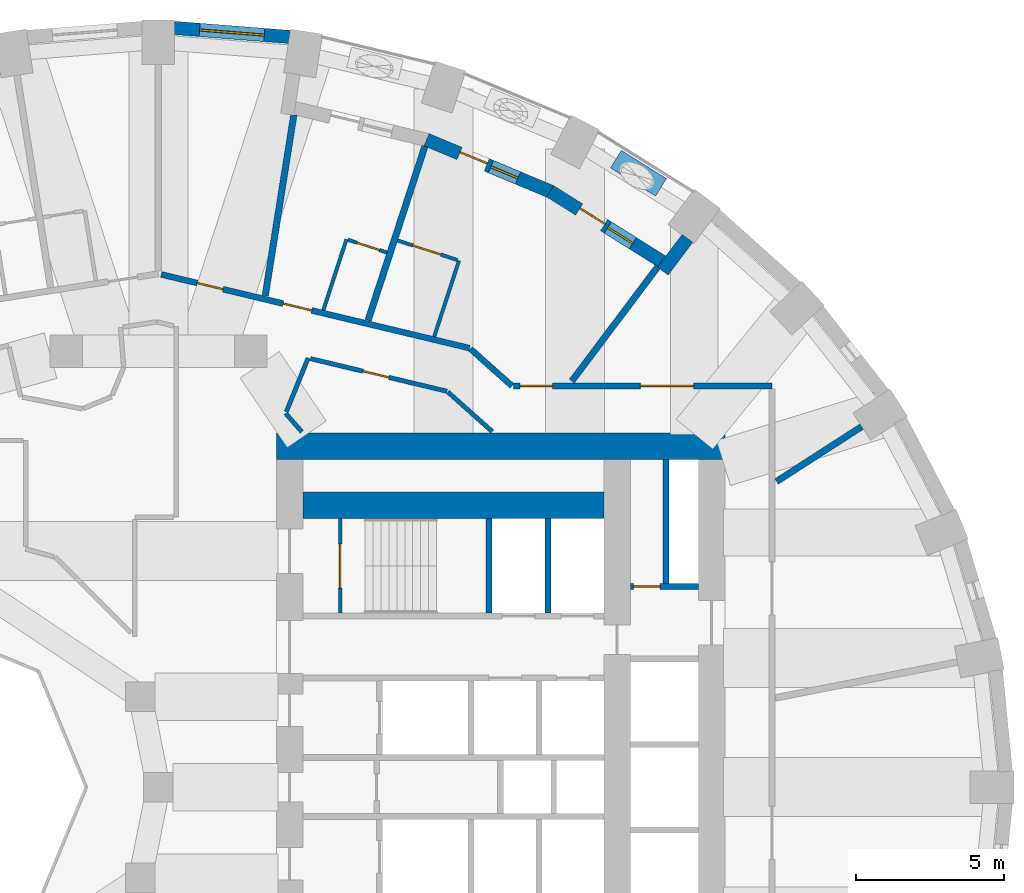
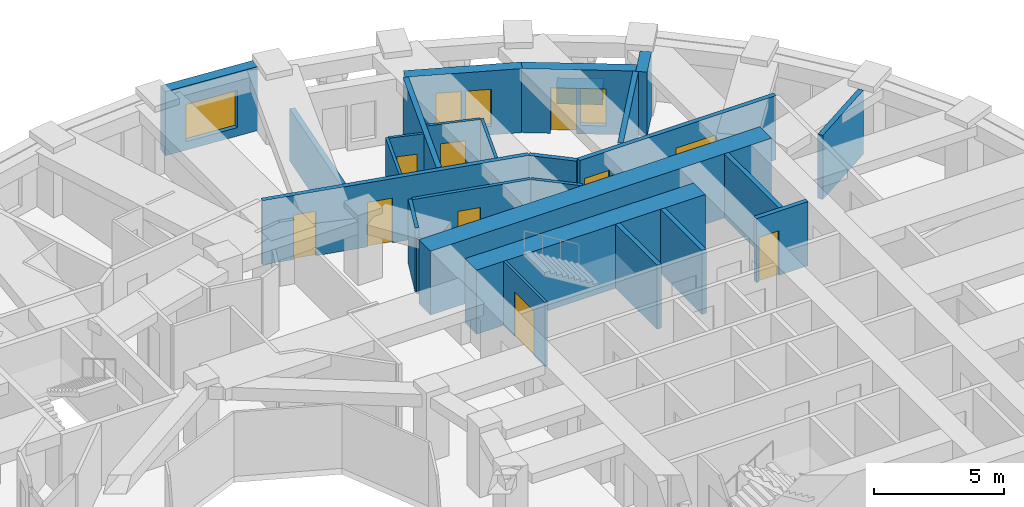
# One storey, part 9 of 14: 27 walls, 11 doors, 3 windows, 14 openings.
"""IFC4 building model written with IfcOpenShell, lengths in metres."""

from ifc_helpers import new_model, si_unit, direction, frame, frame_2d, origin, place, context, subcontext, project, spatial, rectangle, extrude, material, layer, layer_set, constituent, constituent_set, type_object, element, fill, save


model = new_model("IFC4")

# Units and contexts
model_context = context("Model", 3, precision=1e-05, world=origin(), true_north=direction((0.0, 1.0)))
body_context = subcontext(model_context, "Body", "Model", "MODEL_VIEW")
ifc_project = project(units=[si_unit("LENGTHUNIT", "METRE"), si_unit("AREAUNIT", "SQUARE_METRE"), si_unit("VOLUMEUNIT", "CUBIC_METRE"), si_unit("PLANEANGLEUNIT", "RADIAN"), si_unit("MASSUNIT", "GRAM", prefix="KILO")], contexts=[model_context])

# Site, building, storey
site_placement = place(None, origin())
site = spatial("IfcSite", under=ifc_project, at=site_placement, CompositionType="ELEMENT")
building_placement = place(site_placement, origin())
building = spatial("IfcBuilding", under=site, at=building_placement, Name="Taillehof Tower", CompositionType="ELEMENT")
storey_placement = place(building_placement, frame((0.0, 0.0, 25.0)))
storey = spatial("IfcBuildingStorey", under=building, at=storey_placement, Name="L05", CompositionType="ELEMENT", Elevation=25.0)

# Wall, opening, window
ifc_material_1 = material(Name="Brick masonry", Category="masonry")
ifc_layer_1 = layer(ifc_material_1, 0.449951171875)
ifc_layer_set_1 = layer_set([ifc_layer_1], Name="Brick infill wall 450")
wall_type_1 = type_object("IfcWallType", Name="Brick infill wall 450", PredefinedType="SOLIDWALL", material=ifc_layer_set_1)
wall_1_placement = place(storey_placement, frame((4.457275390625, 25.42578125, 0.0), z_axis=(0.0, 0.0, 1.0), x_axis=(-0.996955972145, 0.077966592873, 0.0)))
wall_1 = element("IfcWall", 1, at=wall_1_placement, inside=storey, type_object=wall_type_1, Name="Brick wall L05 bay 9", PredefinedType="SOLIDWALL", context=body_context, shape_type="SweptSolid", body=[
    extrude(rectangle(XDim=3.939208984375, YDim=0.449951171875, at=frame_2d((1.9697265625, 0.0))), origin(), (0.0, 0.0, 1.0), 3.02001953125),
])
opening_1_placement = place(wall_1_placement, frame((0.86962890625, 0.0, 0.39990234375)))
opening_1 = element("IfcOpeningElement", 2, at=opening_1_placement, cuts=wall_1, Name="Opening W1", PredefinedType="OPENING", context=body_context, shape_type="SweptSolid", body=[
    extrude(rectangle(XDim=2.199951171875, YDim=1.75, at=frame_2d((1.10009765625, 0.875))), frame((0.0, 0.23486328125, 0.0), z_axis=(0.0, -1.0, 0.0), x_axis=(1.0, 0.0, 0.0)), (0.0, 0.0, 1.0), 0.469970703125),
])
ifc_material_2 = material(Name="Aluminium window frame with clear double glazing", Category="aluminium")
window_type_1 = type_object("IfcWindowType", Name="Deep-set window 2200x1750", PartitioningType="SINGLE_PANEL", PredefinedType="WINDOW", material=ifc_material_2)
window_1_placement = place(opening_1_placement, origin())
window_1 = element("IfcWindow", 3, at=window_1_placement, inside=storey, type_object=window_type_1, Name="W1", OverallHeight=1.75, OverallWidth=2.199951171875, PartitioningType="SINGLE_PANEL", PredefinedType="WINDOW", context=body_context, shape_type="SweptSolid", body=[
    extrude(rectangle(XDim=2.199951171875, YDim=1.75, at=frame_2d((1.10009765625, 0.875))), frame((0.0, 0.034912109375, 0.0), z_axis=(0.0, -1.0, 0.0), x_axis=(1.0, 0.0, 0.0)), (0.0, 0.0, 1.0), 0.06005859375),
])
fill(opening_1, window_1)

# Wall
wall_2_placement = place(storey_placement, frame((17.931640625, 18.60009765625, 0.0), z_axis=(0.0, 0.0, 1.0), x_axis=(-0.601262851241, -0.799051302306, 0.0)))
element("IfcWall", 4, at=wall_2_placement, inside=storey, type_object=wall_type_1, Name="Brick reveal L05 pocket 1", PredefinedType="SOLIDWALL", context=body_context, shape_type="SweptSolid", body=[
    extrude(rectangle(XDim=1.39111328125, YDim=0.449951171875, at=frame_2d((0.695556640625, 0.0))), origin(), (0.0, 0.0, 1.0), 3.02001953125),
])

# Wall, openings, door, window
wall_3_placement = place(storey_placement, frame((17.062255859375, 17.81884765625, 0.0), z_axis=(0.0, 0.0, 1.0), x_axis=(-0.846990101364, 0.531608660757, 0.0)))
wall_3 = element("IfcWall", 5, at=wall_3_placement, inside=storey, type_object=wall_type_1, Name="Brick wall L05 pocket bay 6", PredefinedType="SOLIDWALL", context=body_context, shape_type="SweptSolid", body=[
    extrude(rectangle(XDim=4.468994140625, YDim=0.449951171875, at=frame_2d((2.234375, 0.0))), origin(), (0.0, 0.0, 1.0), 3.02001953125),
])
opening_2_placement = place(wall_3_placement, frame((1.159423828125, 0.0, 0.39990234375)))
opening_2 = element("IfcOpeningElement", 6, at=opening_2_placement, cuts=wall_3, Name="Opening W5", PredefinedType="OPENING", context=body_context, shape_type="SweptSolid", body=[
    extrude(rectangle(XDim=1.0, YDim=1.75, at=frame_2d((0.5, 0.875))), frame((0.0, 0.23486328125, 0.0), z_axis=(0.0, -1.0, 0.0), x_axis=(1.0, 0.0, 0.0)), (0.0, 0.0, 1.0), 0.469970703125),
])
opening_3_placement = place(wall_3_placement, frame((2.3095703125, 0.0, 0.0)))
opening_3 = element("IfcOpeningElement", 7, at=opening_3_placement, cuts=wall_3, Name="Opening D0591", PredefinedType="OPENING", context=body_context, shape_type="SweptSolid", body=[
    extrude(rectangle(XDim=1.0, YDim=2.14990234375, at=frame_2d((0.5, 1.074951171875))), frame((0.0, 0.23486328125, 0.0), z_axis=(0.0, -1.0, 0.0), x_axis=(1.0, 0.0, 0.0)), (0.0, 0.0, 1.0), 0.469970703125),
])
ifc_material_3 = material(Name="Aluminium door frame with clear double glazing", Category="aluminium")
door_type_1 = type_object("IfcDoorType", Name="Balcony door 1000x2150", OperationType="SINGLE_SWING_RIGHT", PredefinedType="DOOR", material=ifc_material_3)
door_1_placement = place(opening_3_placement, frame((1.0, 0.0, 0.0), z_axis=(0.0, 0.0, 1.0), x_axis=(-1.0, 0.0, 0.0)))
door_1 = element("IfcDoor", 8, at=door_1_placement, inside=storey, type_object=door_type_1, Name="Balcony door L05 bay 6", OperationType="SINGLE_SWING_RIGHT", OverallHeight=2.14990234375, OverallWidth=1.0, PredefinedType="DOOR", context=body_context, shape_type="SweptSolid", body=[
    extrude(rectangle(XDim=1.0, YDim=2.14990234375, at=frame_2d((0.5, 1.074951171875))), frame((0.0, 0.0751953125, 0.0), z_axis=(0.0, -1.0, 0.0), x_axis=(1.0, 0.0, 0.0)), (0.0, 0.0, 1.0), 0.050048828125),
])
fill(opening_3, door_1)
ifc_material_4 = material(Name="Aluminium window frame with clear double glazing", Category="aluminium")
window_type_2 = type_object("IfcWindowType", Name="Fixed window 1000x1750", PartitioningType="SINGLE_PANEL", PredefinedType="WINDOW", material=ifc_material_4)
window_2_placement = place(opening_2_placement, origin())
window_2 = element("IfcWindow", 9, at=window_2_placement, inside=storey, type_object=window_type_2, Name="W5", OverallHeight=1.75, OverallWidth=1.0, PartitioningType="SINGLE_PANEL", PredefinedType="WINDOW", context=body_context, shape_type="SweptSolid", body=[
    extrude(rectangle(XDim=1.0, YDim=1.75, at=frame_2d((0.5, 0.875))), frame((0.0, 0.034912109375, 0.0), z_axis=(0.0, -1.0, 0.0), x_axis=(1.0, 0.0, 0.0)), (0.0, 0.0, 1.0), 0.06005859375),
])
fill(opening_2, window_2)

wall_4_placement = place(storey_placement, frame((13.31005859375, 20.177734375, 0.0), z_axis=(0.0, 0.0, 1.0), x_axis=(-0.922634412489, 0.385675693935, 0.0)))
wall_4 = element("IfcWall", 10, at=wall_4_placement, inside=storey, type_object=wall_type_1, Name="Brick wall L05 pocket bay 7", PredefinedType="SOLIDWALL", context=body_context, shape_type="SweptSolid", body=[
    extrude(rectangle(XDim=4.57666015625, YDim=0.449951171875, at=frame_2d((2.288330078125, 0.0))), origin(), (0.0, 0.0, 1.0), 3.02001953125),
])
opening_4_placement = place(wall_4_placement, frame((1.21337890625, 0.0, 0.39990234375)))
opening_4 = element("IfcOpeningElement", 11, at=opening_4_placement, cuts=wall_4, Name="Opening W5", PredefinedType="OPENING", context=body_context, shape_type="SweptSolid", body=[
    extrude(rectangle(XDim=1.0, YDim=1.75, at=frame_2d((0.5, 0.875))), frame((0.0, 0.23486328125, 0.0), z_axis=(0.0, -1.0, 0.0), x_axis=(1.0, 0.0, 0.0)), (0.0, 0.0, 1.0), 0.469970703125),
])
opening_5_placement = place(wall_4_placement, frame((2.36328125, 0.0, 0.0)))
opening_5 = element("IfcOpeningElement", 12, at=opening_5_placement, cuts=wall_4, Name="Opening D0592", PredefinedType="OPENING", context=body_context, shape_type="SweptSolid", body=[
    extrude(rectangle(XDim=1.0, YDim=2.14990234375, at=frame_2d((0.5, 1.074951171875))), frame((0.0, 0.23486328125, 0.0), z_axis=(0.0, -1.0, 0.0), x_axis=(1.0, 0.0, 0.0)), (0.0, 0.0, 1.0), 0.469970703125),
])
door_2_placement = place(opening_5_placement, frame((1.0, 0.0, 0.0), z_axis=(0.0, 0.0, 1.0), x_axis=(-1.0, 0.0, 0.0)))
door_2 = element("IfcDoor", 13, at=door_2_placement, inside=storey, type_object=door_type_1, Name="Balcony door L05 bay 7", OperationType="SINGLE_SWING_LEFT", OverallHeight=2.14990234375, OverallWidth=1.0, PredefinedType="DOOR", context=body_context, shape_type="SweptSolid", body=[
    extrude(rectangle(XDim=1.0, YDim=2.14990234375, at=frame_2d((0.5, 1.074951171875))), frame((0.0, 0.0751953125, 0.0), z_axis=(0.0, -1.0, 0.0), x_axis=(1.0, 0.0, 0.0)), (0.0, 0.0, 1.0), 0.050048828125),
])
fill(opening_5, door_2)
window_3_placement = place(opening_4_placement, origin())
window_3 = element("IfcWindow", 14, at=window_3_placement, inside=storey, type_object=window_type_2, Name="W5", OverallHeight=1.75, OverallWidth=1.0, PartitioningType="SINGLE_PANEL", PredefinedType="WINDOW", context=body_context, shape_type="SweptSolid", body=[
    extrude(rectangle(XDim=1.0, YDim=1.75, at=frame_2d((0.5, 0.875))), frame((0.0, 0.034912109375, 0.0), z_axis=(0.0, -1.0, 0.0), x_axis=(1.0, 0.0, 0.0)), (0.0, 0.0, 1.0), 0.06005859375),
])
fill(opening_4, window_3)

# Wall, opening, door
ifc_material_5 = material(Name="Calcium silicate masonry", Category="masonry")
ifc_layer_2 = layer(ifc_material_5, 0.199951171875)
ifc_layer_set_2 = layer_set([ifc_layer_2], Name="Compartment wall calcium silicate 200")
wall_type_2 = type_object("IfcWallType", Name="Compartment wall calcium silicate 200", PredefinedType="PARTITIONING", material=ifc_layer_set_2)
wall_5_placement = place(storey_placement, frame((16.0, 6.800048828125, 0.0), z_axis=(0.0, 0.0, 1.0), x_axis=(1.0, 0.0, 0.0)))
wall_5 = element("IfcWall", 15, at=wall_5_placement, inside=storey, type_object=wall_type_2, Name="Compartment wall FW", PredefinedType="PARTITIONING", context=body_context, shape_type="SweptSolid", body=[
    extrude(rectangle(XDim=2.300048828125, YDim=0.199951171875, at=frame_2d((1.14990234375, 0.0))), origin(), (0.0, 0.0, 1.0), 3.02001953125),
])
opening_6_placement = place(wall_5_placement, frame((0.10009765625, 0.0, 0.0)))
opening_6 = element("IfcOpeningElement", 16, at=opening_6_placement, cuts=wall_5, Name="Opening D0516", PredefinedType="OPENING", context=body_context, shape_type="SweptSolid", body=[
    extrude(rectangle(XDim=0.89990234375, YDim=2.10009765625, at=frame_2d((0.449951171875, 1.050048828125))), frame((0.0, 0.10986328125, 0.0), z_axis=(0.0, -1.0, 0.0), x_axis=(1.0, 0.0, 0.0)), (0.0, 0.0, 1.0), 0.219970703125),
])
ifc_material_6 = material(Name="Steel-faced fire door", Category="steel")
door_type_2 = type_object("IfcDoorType", Name="Riser and service room door 900x2100", OperationType="SINGLE_SWING_LEFT", PredefinedType="DOOR", material=ifc_material_6)
door_3_placement = place(opening_6_placement, origin())
door_3 = element("IfcDoor", 17, at=door_3_placement, inside=storey, type_object=door_type_2, Name="Door Linen Store", OperationType="SINGLE_SWING_RIGHT", OverallHeight=2.10009765625, OverallWidth=0.89990234375, PredefinedType="DOOR", context=body_context, shape_type="SweptSolid", body=[
    extrude(rectangle(XDim=0.89990234375, YDim=2.10009765625, at=frame_2d((0.449951171875, 1.050048828125))), frame((0.0, 0.02490234375, 0.0), z_axis=(0.0, -1.0, 0.0), x_axis=(1.0, 0.0, 0.0)), (0.0, 0.0, 1.0), 0.050048828125),
])
fill(opening_6, door_3)

# Wall
wall_6_placement = place(storey_placement, frame((17.199951171875, 6.89990234375, 0.0), z_axis=(0.0, 0.0, 1.0), x_axis=(0.0, 1.0, 0.0)))
element("IfcWall", 18, at=wall_6_placement, inside=storey, type_object=wall_type_2, Name="Compartment wall FW", PredefinedType="PARTITIONING", context=body_context, shape_type="SweptSolid", body=[
    extrude(rectangle(XDim=4.2001953125, YDim=0.199951171875, at=frame_2d((2.10009765625, 0.0))), origin(), (0.0, 0.0, 1.0), 3.02001953125),
])

# Wall, openings, doors
ifc_material_7 = material(Name="Gypsum board on steel studs, two layers each side", Category="steel")
ifc_layer_3 = layer(ifc_material_7, 0.199951171875)
ifc_layer_set_3 = layer_set([ifc_layer_3], Name="Compartment wall corridor 200")
wall_type_3 = type_object("IfcWallType", Name="Compartment wall corridor 200", PredefinedType="PARTITIONING", material=ifc_layer_set_3)
wall_7_placement = place(storey_placement, frame((0.09765625, 17.376708984375, 0.0), z_axis=(0.0, 0.0, 1.0), x_axis=(0.972602241469, -0.232475546864, 0.0)))
wall_7 = element("IfcWall", 19, at=wall_7_placement, inside=storey, type_object=wall_type_3, Name="Compartment wall", PredefinedType="PARTITIONING", context=body_context, shape_type="SweptSolid", body=[
    extrude(rectangle(XDim=10.743408203125, YDim=0.199951171875, at=frame_2d((5.37158203125, 0.0))), origin(), (0.0, 0.0, 1.0), 3.02001953125),
])
opening_7_placement = place(wall_7_placement, frame((4.241943359375, 0.0, 0.0)))
opening_7 = element("IfcOpeningElement", 20, at=opening_7_placement, cuts=wall_7, Name="Opening D0542", PredefinedType="OPENING", context=body_context, shape_type="SweptSolid", body=[
    extrude(rectangle(XDim=1.0, YDim=2.10009765625, at=frame_2d((0.5, 1.050048828125))), frame((0.0, 0.10986328125, 0.0), z_axis=(0.0, -1.0, 0.0), x_axis=(1.0, 0.0, 0.0)), (0.0, 0.0, 1.0), 0.219970703125),
])
opening_8_placement = place(wall_7_placement, frame((1.25341796875, 0.0, 0.0)))
opening_8 = element("IfcOpeningElement", 21, at=opening_8_placement, cuts=wall_7, Name="Opening D0544", PredefinedType="OPENING", context=body_context, shape_type="SweptSolid", body=[
    extrude(rectangle(XDim=0.89990234375, YDim=2.10009765625, at=frame_2d((0.449951171875, 1.050048828125))), frame((0.0, 0.10986328125, 0.0), z_axis=(0.0, -1.0, 0.0), x_axis=(1.0, 0.0, 0.0)), (0.0, 0.0, 1.0), 0.219970703125),
])
ifc_material_8 = material(Name="Timber door leaf in steel frame", Category="steel")
door_type_3 = type_object("IfcDoorType", Name="Guest room door EI 30 1000 x 2100", OperationType="SINGLE_SWING_LEFT", PredefinedType="DOOR", material=ifc_material_8)
door_4_placement = place(opening_7_placement, origin())
door_4 = element("IfcDoor", 22, at=door_4_placement, inside=storey, type_object=door_type_3, Name="D0542", OperationType="SINGLE_SWING_RIGHT", OverallHeight=2.10009765625, OverallWidth=1.0, PredefinedType="DOOR", context=body_context, shape_type="SweptSolid", body=[
    extrude(rectangle(XDim=1.0, YDim=2.10009765625, at=frame_2d((0.5, 1.050048828125))), frame((0.0, 0.02490234375, 0.0), z_axis=(0.0, -1.0, 0.0), x_axis=(1.0, 0.0, 0.0)), (0.0, 0.0, 1.0), 0.050048828125),
])
fill(opening_7, door_4)
ifc_material_9 = material(Name="Timber door leaf in steel frame", Category="steel")
door_type_4 = type_object("IfcDoorType", Name="Service room door EI 30 900 x 2100", OperationType="SINGLE_SWING_LEFT", PredefinedType="DOOR", material=ifc_material_9)
door_5_placement = place(opening_8_placement, origin())
door_5 = element("IfcDoor", 23, at=door_5_placement, inside=storey, type_object=door_type_4, Name="D0544", OperationType="SINGLE_SWING_LEFT", OverallHeight=2.10009765625, OverallWidth=0.89990234375, PredefinedType="DOOR", context=body_context, shape_type="SweptSolid", body=[
    extrude(rectangle(XDim=0.89990234375, YDim=2.10009765625, at=frame_2d((0.449951171875, 1.050048828125))), frame((0.0, 0.02490234375, 0.0), z_axis=(0.0, -1.0, 0.0), x_axis=(1.0, 0.0, 0.0)), (0.0, 0.0, 1.0), 0.050048828125),
])
fill(opening_8, door_5)

# Wall
wall_8_placement = place(storey_placement, frame((10.576416015625, 14.852783203125, 0.0), z_axis=(0.0, 0.0, 1.0), x_axis=(0.746758163178, -0.665095666597, 0.0)))
element("IfcWall", 24, at=wall_8_placement, inside=storey, type_object=wall_type_3, Name="Compartment wall", PredefinedType="PARTITIONING", context=body_context, shape_type="SweptSolid", body=[
    extrude(rectangle(XDim=1.883544921875, YDim=0.199951171875, at=frame_2d((0.94189453125, 0.0))), origin(), (0.0, 0.0, 1.0), 3.02001953125),
])

# Wall, openings, doors
wall_9_placement = place(storey_placement, frame((12.04296875, 13.60009765625, 0.0), z_axis=(0.0, 0.0, 1.0), x_axis=(1.0, 0.0, 0.0)))
wall_9 = element("IfcWall", 25, at=wall_9_placement, inside=storey, type_object=wall_type_3, Name="Compartment wall", PredefinedType="PARTITIONING", context=body_context, shape_type="SweptSolid", body=[
    extrude(rectangle(XDim=8.757080078125, YDim=0.199951171875, at=frame_2d((4.37841796875, 0.0))), origin(), (0.0, 0.0, 1.0), 3.02001953125),
])
opening_9_placement = place(wall_9_placement, frame((0.219970703125, 0.0, 0.0)))
opening_9 = element("IfcOpeningElement", 26, at=opening_9_placement, cuts=wall_9, Name="Opening D0540", PredefinedType="OPENING", context=body_context, shape_type="SweptSolid", body=[
    extrude(rectangle(XDim=1.10009765625, YDim=2.10009765625, at=frame_2d((0.550048828125, 1.050048828125))), frame((0.0, 0.10986328125, 0.0), z_axis=(0.0, -1.0, 0.0), x_axis=(1.0, 0.0, 0.0)), (0.0, 0.0, 1.0), 0.219970703125),
])
opening_10_placement = place(wall_9_placement, frame((4.293212890625, 0.0, 0.0)))
opening_10 = element("IfcOpeningElement", 27, at=opening_10_placement, cuts=wall_9, Name="Opening D0572", PredefinedType="OPENING", context=body_context, shape_type="SweptSolid", body=[
    extrude(rectangle(XDim=1.800048828125, YDim=2.10009765625, at=frame_2d((0.89990234375, 1.050048828125))), frame((0.0, 0.10986328125, 0.0), z_axis=(0.0, -1.0, 0.0), x_axis=(1.0, 0.0, 0.0)), (0.0, 0.0, 1.0), 0.219970703125),
])
ifc_material_10 = material(Name="Timber door leaf in steel frame", Category="steel")
door_type_5 = type_object("IfcDoorType", Name="Accessible guest room door EI 30 1100 x 2100", OperationType="SINGLE_SWING_LEFT", PredefinedType="DOOR", material=ifc_material_10)
door_6_placement = place(opening_9_placement, origin())
door_6 = element("IfcDoor", 28, at=door_6_placement, inside=storey, type_object=door_type_5, Name="D0540", OperationType="SINGLE_SWING_LEFT", OverallHeight=2.10009765625, OverallWidth=1.10009765625, PredefinedType="DOOR", context=body_context, shape_type="SweptSolid", body=[
    extrude(rectangle(XDim=1.10009765625, YDim=2.10009765625, at=frame_2d((0.550048828125, 1.050048828125))), frame((0.0, 0.02490234375, 0.0), z_axis=(0.0, -1.0, 0.0), x_axis=(1.0, 0.0, 0.0)), (0.0, 0.0, 1.0), 0.050048828125),
])
fill(opening_9, door_6)
ifc_material_11 = material(Name="Timber door leaf in steel frame", Category="steel")
door_type_6 = type_object("IfcDoorType", Name="Lounge and meeting room double door EI 30 1800 x 2100", OperationType="SINGLE_SWING_LEFT", PredefinedType="DOOR", material=ifc_material_11)
door_7_placement = place(opening_10_placement, origin())
door_7 = element("IfcDoor", 29, at=door_7_placement, inside=storey, type_object=door_type_6, Name="D0572", OperationType="DOUBLE_DOOR_SINGLE_SWING", OverallHeight=2.10009765625, OverallWidth=1.800048828125, PredefinedType="DOOR", context=body_context, shape_type="SweptSolid", body=[
    extrude(rectangle(XDim=1.800048828125, YDim=2.10009765625, at=frame_2d((0.89990234375, 1.050048828125))), frame((0.0, 0.02490234375, 0.0), z_axis=(0.0, -1.0, 0.0), x_axis=(1.0, 0.0, 0.0)), (0.0, 0.0, 1.0), 0.050048828125),
])
fill(opening_10, door_7)

# Walls
ifc_material_12 = material(Name="Gypsum board on double steel studs with mineral wool", Category="steel")
ifc_layer_4 = layer(ifc_material_12, 0.219970703125)
ifc_layer_set_4 = layer_set([ifc_layer_4], Name="Compartment wall guest room 220")
wall_type_4 = type_object("IfcWallType", Name="Compartment wall guest room 220", PredefinedType="PARTITIONING", material=ifc_layer_set_4)
wall_10_placement = place(storey_placement, frame((23.834716796875, 12.218994140625, 0.0), z_axis=(0.0, 0.0, 1.0), x_axis=(-0.840694872373, -0.541509124176, 0.0)))
element("IfcWall", 30, at=wall_10_placement, inside=storey, type_object=wall_type_4, Name="Compartment wall", PredefinedType="PARTITIONING", context=body_context, shape_type="SweptSolid", body=[
    extrude(rectangle(XDim=3.430419921875, YDim=0.219970703125, at=frame_2d((1.71533203125, 0.0))), origin(), (0.0, 0.0, 1.0), 3.02001953125),
])
wall_11_placement = place(storey_placement, frame((16.926513671875, 17.638427734375, 0.0), z_axis=(0.0, 0.0, 1.0), x_axis=(-0.601183583641, -0.799110942711, 0.0)))
element("IfcWall", 31, at=wall_11_placement, inside=storey, type_object=wall_type_4, Name="Compartment wall", PredefinedType="PARTITIONING", context=body_context, shape_type="SweptSolid", body=[
    extrude(rectangle(XDim=4.848876953125, YDim=0.219970703125, at=frame_2d((2.42431640625, 0.0))), origin(), (0.0, 0.0, 1.0), 3.02001953125),
])
wall_12_placement = place(storey_placement, frame((9.033935546875, 21.72119140625, 0.0), z_axis=(0.0, 0.0, 1.0), x_axis=(-0.310247180826, -0.950655924501, 0.0)))
element("IfcWall", 32, at=wall_12_placement, inside=storey, type_object=wall_type_4, Name="Compartment wall", PredefinedType="PARTITIONING", context=body_context, shape_type="SweptSolid", body=[
    extrude(rectangle(XDim=6.203369140625, YDim=0.219970703125, at=frame_2d((3.1015625, 0.0))), origin(), (0.0, 0.0, 1.0), 3.02001953125),
])
wall_13_placement = place(storey_placement, frame((4.590576171875, 22.78857421875, 0.0), z_axis=(0.0, 0.0, 1.0), x_axis=(-0.15615243256, -0.987732968877, 0.0)))
element("IfcWall", 33, at=wall_13_placement, inside=storey, type_object=wall_type_4, Name="Compartment wall", PredefinedType="PARTITIONING", context=body_context, shape_type="SweptSolid", body=[
    extrude(rectangle(XDim=6.20703125, YDim=0.219970703125, at=frame_2d((3.103515625, 0.0))), origin(), (0.0, 0.0, 1.0), 2.469970703125),
])
ifc_material_13 = material(Name="Gypsum board on steel studs, two layers each side", Category="steel")
ifc_layer_5 = layer(ifc_material_13, 0.14990234375)
ifc_layer_set_5 = layer_set([ifc_layer_5], Name="Compartment wall service room 150")
wall_type_5 = type_object("IfcWallType", Name="Compartment wall service room 150", PredefinedType="PARTITIONING", material=ifc_layer_set_5)
wall_14_placement = place(storey_placement, frame((4.864501953125, 12.04150390625, 0.0), z_axis=(0.0, 0.0, 1.0), x_axis=(-0.660014599896, 0.751252772323, 0.0)))
element("IfcWall", 34, at=wall_14_placement, inside=storey, type_object=wall_type_5, Name="Compartment wall", PredefinedType="PARTITIONING", context=body_context, shape_type="SweptSolid", body=[
    extrude(rectangle(XDim=0.8349609375, YDim=0.14990234375, at=frame_2d((0.41748046875, 0.0))), origin(), (0.0, 0.0, 1.0), 2.570068359375),
])
wall_15_placement = place(storey_placement, frame((4.336181640625, 12.724365234375, 0.0), z_axis=(0.0, 0.0, 1.0), x_axis=(0.376897652409, 0.926254910707, 0.0)))
element("IfcWall", 35, at=wall_15_placement, inside=storey, type_object=wall_type_5, Name="Compartment wall", PredefinedType="PARTITIONING", context=body_context, shape_type="SweptSolid", body=[
    extrude(rectangle(XDim=1.962158203125, YDim=0.14990234375, at=frame_2d((0.98095703125, 0.0))), origin(), (0.0, 0.0, 1.0), 3.02001953125),
])

# Wall, opening, door
wall_16_placement = place(storey_placement, frame((5.15380859375, 14.523193359375, 0.0), z_axis=(0.0, 0.0, 1.0), x_axis=(0.972595031209, -0.232505710182, 0.0)))
wall_16 = element("IfcWall", 36, at=wall_16_placement, inside=storey, type_object=wall_type_5, Name="Compartment wall", PredefinedType="PARTITIONING", context=body_context, shape_type="SweptSolid", body=[
    extrude(rectangle(XDim=4.759765625, YDim=0.14990234375, at=frame_2d((2.3798828125, 0.0))), origin(), (0.0, 0.0, 1.0), 3.02001953125),
])
opening_11_placement = place(wall_16_placement, frame((1.829345703125, 0.0, 0.0)))
opening_11 = element("IfcOpeningElement", 37, at=opening_11_placement, cuts=wall_16, Name="Opening D0574", PredefinedType="OPENING", context=body_context, shape_type="SweptSolid", body=[
    extrude(rectangle(XDim=0.89990234375, YDim=2.10009765625, at=frame_2d((0.449951171875, 1.050048828125))), frame((0.0, 0.0849609375, 0.0), z_axis=(0.0, -1.0, 0.0), x_axis=(1.0, 0.0, 0.0)), (0.0, 0.0, 1.0), 0.169921875),
])
door_8_placement = place(opening_11_placement, origin())
door_8 = element("IfcDoor", 38, at=door_8_placement, inside=storey, type_object=door_type_4, Name="D0574", OperationType="SINGLE_SWING_RIGHT", OverallHeight=2.10009765625, OverallWidth=0.89990234375, PredefinedType="DOOR", context=body_context, shape_type="SweptSolid", body=[
    extrude(rectangle(XDim=0.89990234375, YDim=2.10009765625, at=frame_2d((0.449951171875, 1.050048828125))), frame((0.0, 0.02490234375, 0.0), z_axis=(0.0, -1.0, 0.0), x_axis=(1.0, 0.0, 0.0)), (0.0, 0.0, 1.0), 0.050048828125),
])
fill(opening_11, door_8)

# Walls
wall_17_placement = place(storey_placement, frame((9.81298828125, 13.39013671875, 0.0), z_axis=(0.0, 0.0, 1.0), x_axis=(0.746772740714, -0.665079298825, 0.0)))
element("IfcWall", 39, at=wall_17_placement, inside=storey, type_object=wall_type_5, Name="Compartment wall", PredefinedType="PARTITIONING", context=body_context, shape_type="SweptSolid", body=[
    extrude(rectangle(XDim=2.01123046875, YDim=0.14990234375, at=frame_2d((1.005615234375, 0.0))), origin(), (0.0, 0.0, 1.0), 3.02001953125),
])
ifc_material_14 = material(Name="Concrete C80/95", Category="concrete")
ifc_layer_6 = layer(ifc_material_14, 0.89990234375)
ifc_layer_set_6 = layer_set([ifc_layer_6], Name="Core wall C80/95 900")
wall_type_6 = type_object("IfcWallType", Name="Core wall C80/95 900", PredefinedType="SHEAR", material=ifc_layer_set_6)
wall_18_placement = place(storey_placement, frame((4.0, 11.550048828125, 0.0), z_axis=(0.0, 0.0, 1.0), x_axis=(1.0, 0.0, 0.0)))
element("IfcWall", 40, at=wall_18_placement, inside=storey, type_object=wall_type_6, Name="Core wall CW03", PredefinedType="SHEAR", context=body_context, shape_type="SweptSolid", body=[
    extrude(rectangle(XDim=15.199951171875, YDim=0.89990234375, at=frame_2d((7.60009765625, 0.0))), origin(), (0.0, 0.0, 1.0), 3.02001953125),
])
wall_19_placement = place(storey_placement, frame((4.89990234375, 9.550048828125, 0.0), z_axis=(0.0, 0.0, 1.0), x_axis=(1.0, 0.0, 0.0)))
element("IfcWall", 41, at=wall_19_placement, inside=storey, type_object=wall_type_6, Name="Core wall CW06", PredefinedType="SHEAR", context=body_context, shape_type="SweptSolid", body=[
    extrude(rectangle(XDim=10.2001953125, YDim=0.89990234375, at=frame_2d((5.10009765625, 0.0))), origin(), (0.0, 0.0, 1.0), 3.02001953125),
])
ifc_material_15 = material(Name="Gypsum board on steel studs, moisture resistant", Category="steel")
ifc_layer_7 = layer(ifc_material_15, 0.1201171875)
ifc_layer_set_7 = layer_set([ifc_layer_7], Name="En-suite wall 120")
wall_type_7 = type_object("IfcWallType", Name="En-suite wall 120", PredefinedType="PARTITIONING", material=ifc_layer_set_7)
wall_20_placement = place(storey_placement, frame((9.347900390625, 15.2685546875, 0.0), z_axis=(0.0, 0.0, 1.0), x_axis=(0.310147893553, 0.950688321231, 0.0)))
element("IfcWall", 42, at=wall_20_placement, inside=storey, type_object=wall_type_7, Name="En-suite wall", PredefinedType="PARTITIONING", context=body_context, shape_type="SweptSolid", body=[
    extrude(rectangle(XDim=2.71337890625, YDim=0.1201171875, at=frame_2d((1.356689453125, 0.0))), origin(), (0.0, 0.0, 1.0), 3.02001953125),
])
wall_21_placement = place(storey_placement, frame((5.5908203125, 16.16650390625, 0.0), z_axis=(0.0, 0.0, 1.0), x_axis=(0.310246659943, 0.950656094492, 0.0)))
element("IfcWall", 43, at=wall_21_placement, inside=storey, type_object=wall_type_7, Name="En-suite wall", PredefinedType="PARTITIONING", context=body_context, shape_type="SweptSolid", body=[
    extrude(rectangle(XDim=2.525146484375, YDim=0.1201171875, at=frame_2d((1.2626953125, 0.0))), origin(), (0.0, 0.0, 1.0), 3.02001953125),
])

# Wall, opening, door
wall_22_placement = place(storey_placement, frame((10.13232421875, 17.86669921875, 0.0), z_axis=(0.0, 0.0, 1.0), x_axis=(-0.950681354321, 0.310169248227, 0.0)))
wall_22 = element("IfcWall", 44, at=wall_22_placement, inside=storey, type_object=wall_type_7, Name="En-suite wall", PredefinedType="PARTITIONING", context=body_context, shape_type="SweptSolid", body=[
    extrude(rectangle(XDim=2.1298828125, YDim=0.1201171875, at=frame_2d((1.06494140625, 0.0))), origin(), (0.0, 0.0, 1.0), 3.02001953125),
])
opening_12_placement = place(wall_22_placement, frame((0.58984375, 0.0, 0.0)))
opening_12 = element("IfcOpeningElement", 45, at=opening_12_placement, cuts=wall_22, Name="Opening D0541", PredefinedType="OPENING", context=body_context, shape_type="SweptSolid", body=[
    extrude(rectangle(XDim=1.0, YDim=2.10009765625, at=frame_2d((0.5, 1.050048828125))), frame((0.0, 0.070068359375, 0.0), z_axis=(0.0, -1.0, 0.0), x_axis=(1.0, 0.0, 0.0)), (0.0, 0.0, 1.0), 0.14013671875),
])
ifc_material_16 = material(Name="Timber door leaf in steel frame", Category="steel")
door_type_7 = type_object("IfcDoorType", Name="Accessible en-suite door 1000 x 2100", OperationType="SINGLE_SWING_LEFT", PredefinedType="DOOR", material=ifc_material_16)
door_9_placement = place(opening_12_placement, origin())
door_9 = element("IfcDoor", 46, at=door_9_placement, inside=storey, type_object=door_type_7, Name="D0541", OperationType="SINGLE_SWING_LEFT", OverallHeight=2.10009765625, OverallWidth=1.0, PredefinedType="DOOR", context=body_context, shape_type="SweptSolid", body=[
    extrude(rectangle(XDim=1.0, YDim=2.10009765625, at=frame_2d((0.5, 1.050048828125))), frame((0.0, 0.02490234375, 0.0), z_axis=(0.0, -1.0, 0.0), x_axis=(1.0, 0.0, 0.0)), (0.0, 0.0, 1.0), 0.050048828125),
])
fill(opening_12, door_9)

wall_23_placement = place(storey_placement, frame((6.431396484375, 18.548583984375, 0.0), z_axis=(0.0, 0.0, 1.0), x_axis=(0.950628893115, -0.310329997864, 0.0)))
wall_23 = element("IfcWall", 47, at=wall_23_placement, inside=storey, type_object=wall_type_7, Name="En-suite wall", PredefinedType="PARTITIONING", context=body_context, shape_type="SweptSolid", body=[
    extrude(rectangle(XDim=1.3798828125, YDim=0.1201171875, at=frame_2d((0.68994140625, 0.0))), origin(), (0.0, 0.0, 1.0), 3.02001953125),
])
opening_13_placement = place(wall_23_placement, frame((0.31494140625, 0.0, 0.0)))
opening_13 = element("IfcOpeningElement", 48, at=opening_13_placement, cuts=wall_23, Name="Opening D0543", PredefinedType="OPENING", context=body_context, shape_type="SweptSolid", body=[
    extrude(rectangle(XDim=0.800048828125, YDim=2.10009765625, at=frame_2d((0.39990234375, 1.050048828125))), frame((0.0, 0.070068359375, 0.0), z_axis=(0.0, -1.0, 0.0), x_axis=(1.0, 0.0, 0.0)), (0.0, 0.0, 1.0), 0.14013671875),
])
ifc_material_17 = material(Name="Timber door leaf in steel frame", Category="steel")
door_type_8 = type_object("IfcDoorType", Name="En-suite door 800 x 2100", OperationType="SINGLE_SWING_LEFT", PredefinedType="DOOR", material=ifc_material_17)
door_10_placement = place(opening_13_placement, origin())
door_10 = element("IfcDoor", 49, at=door_10_placement, inside=storey, type_object=door_type_8, Name="D0543", OperationType="SINGLE_SWING_RIGHT", OverallHeight=2.10009765625, OverallWidth=0.800048828125, PredefinedType="DOOR", context=body_context, shape_type="SweptSolid", body=[
    extrude(rectangle(XDim=0.800048828125, YDim=2.10009765625, at=frame_2d((0.39990234375, 1.050048828125))), frame((0.0, 0.02490234375, 0.0), z_axis=(0.0, -1.0, 0.0), x_axis=(1.0, 0.0, 0.0)), (0.0, 0.0, 1.0), 0.050048828125),
])
fill(opening_13, door_10)

# Walls
ifc_material_18 = material(Name="Concrete C30/37 precast", Category="concrete")
ifc_constituent_1 = constituent(ifc_material_18, Name="Structure", Category="concrete")
ifc_material_19 = material(Name="Insulated lining")
ifc_constituent_2 = constituent(ifc_material_19, Name="Lining")
ifc_constituent_set = constituent_set(constituents=[ifc_constituent_1, ifc_constituent_2], Name="Planter trough 700x750")
wall_type_8 = type_object("IfcWallType", Name="Planter trough 700x750", PredefinedType="USERDEFINED", material=ifc_constituent_set)
wall_24_placement = place(storey_placement, frame((17.03173828125, 20.327880859375, 0.0), z_axis=(0.0, 0.0, 1.0), x_axis=(-0.847609446823, 0.530620604252, 0.0)))
element("IfcWall", 50, at=wall_24_placement, inside=storey, type_object=wall_type_8, Name="Planter L05 bay 6", ObjectType="PLANTER", PredefinedType="USERDEFINED", context=body_context, shape_type="SweptSolid", body=[
    extrude(rectangle(XDim=1.7998046875, YDim=0.699951171875, at=frame_2d((0.89990234375, 0.0))), origin(), (0.0, 0.0, 1.0), 0.75),
])
ifc_material_20 = material(Name="Concrete C50/60", Category="concrete")
ifc_layer_8 = layer(ifc_material_20, 0.199951171875)
ifc_layer_set_8 = layer_set([ifc_layer_8], Name="Shaft wall C50/60 200")
wall_type_9 = type_object("IfcWallType", Name="Shaft wall C50/60 200", PredefinedType="SHEAR", material=ifc_layer_set_8)
for number, where, z_axis, x_axis, name in (
    (51, (11.199951171875, 5.89990234375, 0.0), (0.0, 0.0, 1.0), (0.0, 1.0, 0.0), "Shaft wall SW"),
    (52, (13.199951171875, 5.89990234375, 0.0), (0.0, 0.0, 1.0), (0.0, 1.0, 0.0), "Shaft wall SW"),
):
    element("IfcWall", number, at=place(storey_placement, frame(where, z_axis=z_axis, x_axis=x_axis)), inside=storey, type_object=wall_type_9, Name=name, PredefinedType="SHEAR", context=body_context, shape_type="SweptSolid", body=[
        extrude(rectangle(XDim=3.2001953125, YDim=0.199951171875, at=frame_2d((1.60009765625, 0.0))), origin(), (0.0, 0.0, 1.0), 3.02001953125),
    ])

# Wall, opening, door
ifc_material_21 = material(Name="Concrete C50/60", Category="concrete")
ifc_layer_9 = layer(ifc_material_21, 0.1201171875)
ifc_layer_set_9 = layer_set([ifc_layer_9], Name="Stair lobby wall C50/60 120")
wall_type_10 = type_object("IfcWallType", Name="Stair lobby wall C50/60 120", PredefinedType="SHEAR", material=ifc_layer_set_9)
wall_25_placement = place(storey_placement, frame((6.159912109375, 5.89990234375, 0.0), z_axis=(0.0, 0.0, 1.0), x_axis=(0.0, 1.0, 0.0)))
wall_25 = element("IfcWall", 53, at=wall_25_placement, inside=storey, type_object=wall_type_10, Name="Compartment wall SW", PredefinedType="SHEAR", context=body_context, shape_type="SweptSolid", body=[
    extrude(rectangle(XDim=3.2001953125, YDim=0.1201171875, at=frame_2d((1.60009765625, 0.0))), origin(), (0.0, 0.0, 1.0), 3.02001953125),
])
opening_14_placement = place(wall_25_placement, frame((0.85009765625, 0.0, 0.0)))
opening_14 = element("IfcOpeningElement", 54, at=opening_14_placement, cuts=wall_25, Name="Opening D0510", PredefinedType="OPENING", context=body_context, shape_type="SweptSolid", body=[
    extrude(rectangle(XDim=1.5, YDim=2.10009765625, at=frame_2d((0.75, 1.050048828125))), frame((0.0, 0.070068359375, 0.0), z_axis=(0.0, -1.0, 0.0), x_axis=(1.0, 0.0, 0.0)), (0.0, 0.0, 1.0), 0.14013671875),
])
ifc_material_22 = material(Name="Steel-faced fire door", Category="steel")
door_type_9 = type_object("IfcDoorType", Name="Stair door 1500x2100", OperationType="DOUBLE_DOOR_SINGLE_SWING", PredefinedType="DOOR", material=ifc_material_22)
door_11_placement = place(opening_14_placement, origin())
door_11 = element("IfcDoor", 55, at=door_11_placement, inside=storey, type_object=door_type_9, Name="Stair lobby door S1", OperationType="DOUBLE_DOOR_SINGLE_SWING", OverallHeight=2.10009765625, OverallWidth=1.5, PredefinedType="DOOR", context=body_context, shape_type="SweptSolid", body=[
    extrude(rectangle(XDim=1.5, YDim=2.10009765625, at=frame_2d((0.75, 1.050048828125))), frame((0.0, 0.02490234375, 0.0), z_axis=(0.0, -1.0, 0.0), x_axis=(1.0, 0.0, 0.0)), (0.0, 0.0, 1.0), 0.050048828125),
])
fill(opening_14, door_11)

save(model, "model.ifc")
